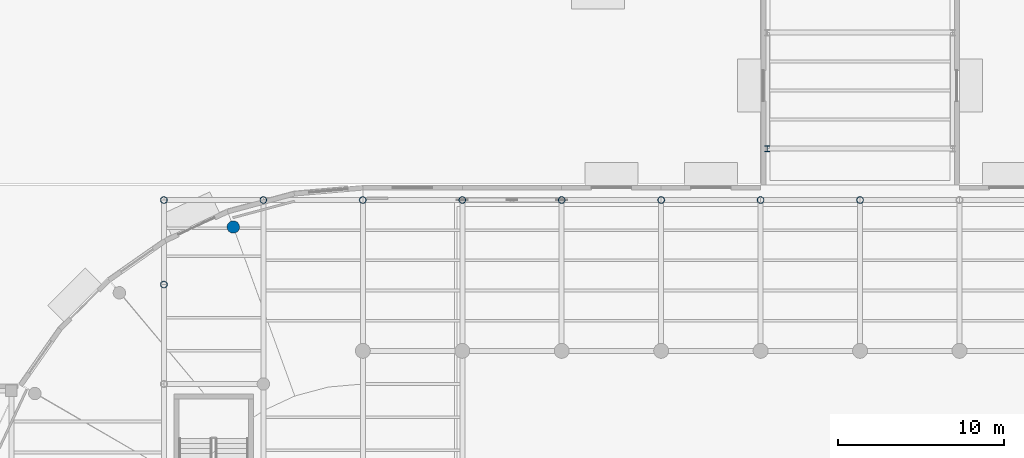
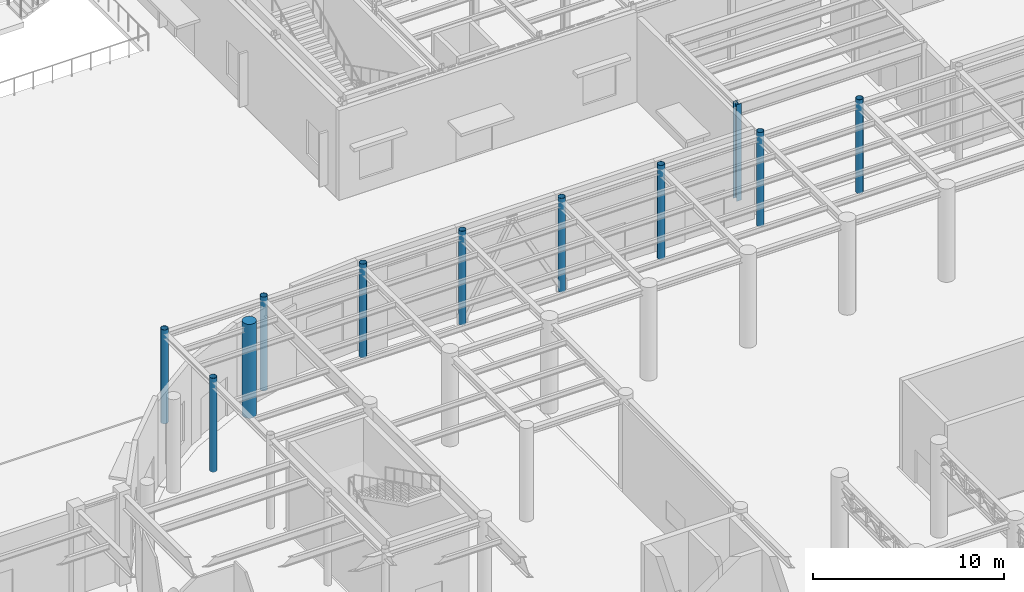
# One storey, part 8 of 118: 11 columns.
"""IFC4 building model written with IfcOpenShell, lengths in metres."""

from ifc_helpers import new_model, si_unit, direction, frame, origin, origin_2d, place, context, subcontext, project, spatial, circle, hollow_circle, i_section, extrude, material, material_profile, profile_set, type_object, element, save


model = new_model("IFC4")

# Units and contexts
model_context = context("Model", 3, precision=1e-05, world=origin(), true_north=direction((0.0, 1.0)))
body_context = subcontext(model_context, "Body", "Model", "MODEL_VIEW")
ifc_project = project(units=[si_unit("LENGTHUNIT", "METRE"), si_unit("AREAUNIT", "SQUARE_METRE"), si_unit("VOLUMEUNIT", "CUBIC_METRE"), si_unit("PLANEANGLEUNIT", "RADIAN"), si_unit("MASSUNIT", "GRAM", prefix="KILO")], contexts=[model_context])

# Site, building, storey
site_placement = place(None, origin())
site = spatial("IfcSite", under=ifc_project, at=site_placement, CompositionType="ELEMENT")
building_placement = place(site_placement, origin())
building = spatial("IfcBuilding", under=site, at=building_placement, Name="Kolvaren Corner Interchange", CompositionType="ELEMENT")
storey_placement = place(building_placement, origin())
storey = spatial("IfcBuildingStorey", under=building, at=storey_placement, Name="L01", CompositionType="ELEMENT", Elevation=0.0)

# Columns
ifc_material_1 = material(Name="Steel S355", Category="steel")
ifc_material_profile_1 = material_profile(ifc_material_1, hollow_circle(Radius=0.203125, WallThickness=0.01611328125, at=origin_2d()), Name="CHS 406.4x16.0")
ifc_profile_set_1 = profile_set([ifc_material_profile_1], Name="Steel S355")
column_type_1 = type_object("IfcColumnType", Name="COL-CHS406", PredefinedType="COLUMN", material=ifc_profile_set_1)
for number, where, z_axis, x_axis, name in (
    (1, (60.0, 71.10009765625, 0.0), (0.0, 0.0, 1.0), (1.0, 0.0, 0.0), "Storey L01 Structural Column 0480"),
    (2, (66.0, 71.10009765625, 0.0), (0.0, 0.0, 1.0), (1.0, 0.0, 0.0), "Storey L01 Structural Column 0500"),
    (3, (72.0, 71.10009765625, 0.0), (0.0, 0.0, 1.0), (1.0, 0.0, 0.0), "Storey L01 Structural Column 0520"),
    (4, (78.0, 71.10009765625, 0.0), (0.0, 0.0, 1.0), (1.0, 0.0, 0.0), "Storey L01 Structural Column 0540"),
    (5, (84.0, 71.10009765625, 0.0), (0.0, 0.0, 1.0), (1.0, 0.0, 0.0), "Storey L01 Structural Column 0560"),
    (6, (90.0, 71.10009765625, 0.0), (0.0, 0.0, 1.0), (1.0, 0.0, 0.0), "Storey L01 Structural Column 0580"),
    (7, (48.0, 66.0, 0.0), (0.0, 0.0, 1.0), (1.0, 0.0, 0.0), "Storey L01 Structural Column 0706"),
    (8, (48.0, 71.10009765625, 0.0), (0.0, 0.0, 1.0), (1.0, 0.0, 0.0), "Storey L01 Structural Column 0710"),
    (9, (54.0, 71.10009765625, 0.0), (0.0, 0.0, 1.0), (1.0, 0.0, 0.0), "Storey L01 Structural Column 0727"),
):
    element("IfcColumn", number, at=place(storey_placement, frame(where, z_axis=z_axis, x_axis=x_axis)), inside=storey, type_object=column_type_1, Name=name, PredefinedType="COLUMN", context=body_context, shape_type="SweptSolid", body=[
        extrude(hollow_circle(Radius=0.203125, WallThickness=0.01611328125, at=origin_2d()), origin(), (0.0, 0.0, 1.0), 6.0),
    ])
ifc_material_2 = material(Name="Steel S355", Category="steel")
ifc_material_profile_2 = material_profile(ifc_material_2, i_section(OverallWidth=0.300048828125, OverallDepth=0.360107421875, WebThickness=0.012451171875, FlangeThickness=0.0224609375, FilletRadius=0.027099609375, at=origin_2d()), Name="HEB 360")
ifc_profile_set_2 = profile_set([ifc_material_profile_2], Name="Steel S355")
column_type_2 = type_object("IfcColumnType", Name="COL-HEB360", PredefinedType="COLUMN", material=ifc_profile_set_2)
column_1_placement = place(storey_placement, frame((84.39990234375, 74.199951171875, -0.39990234375), z_axis=(0.0, 0.0, 1.0), x_axis=(1.0, 0.0, 0.0)))
element("IfcColumn", 10, at=column_1_placement, inside=storey, type_object=column_type_2, Name="Storey L01 Structural Column 0936", PredefinedType="COLUMN", context=body_context, shape_type="SweptSolid", body=[
    extrude(i_section(OverallWidth=0.300048828125, OverallDepth=0.360107421875, WebThickness=0.012451171875, FlangeThickness=0.0224609375, FilletRadius=0.027099609375, at=origin_2d()), origin(), (0.0, 0.0, 1.0), 6.179931640625),
])
ifc_material_3 = material(Name="Concrete C35/45", Category="concrete")
ifc_material_profile_3 = material_profile(ifc_material_3, circle(Radius=0.375, at=origin_2d()), Name="RC COL D750")
ifc_profile_set_3 = profile_set([ifc_material_profile_3], Name="Concrete C35/45")
column_type_3 = type_object("IfcColumnType", Name="COL-RCD750", PredefinedType="COLUMN", material=ifc_profile_set_3)
column_2_placement = place(storey_placement, frame((52.18505859375, 69.471923828125, 0.0), z_axis=(0.0, 0.0, 1.0), x_axis=(1.0, 0.0, 0.0)))
element("IfcColumn", 11, at=column_2_placement, inside=storey, type_object=column_type_3, Name="Storey L01 Structural Column 0784", PredefinedType="COLUMN", context=body_context, shape_type="SweptSolid", body=[
    extrude(circle(Radius=0.375, at=origin_2d()), origin(), (0.0, 0.0, 1.0), 6.0),
])

save(model, "model.ifc")
